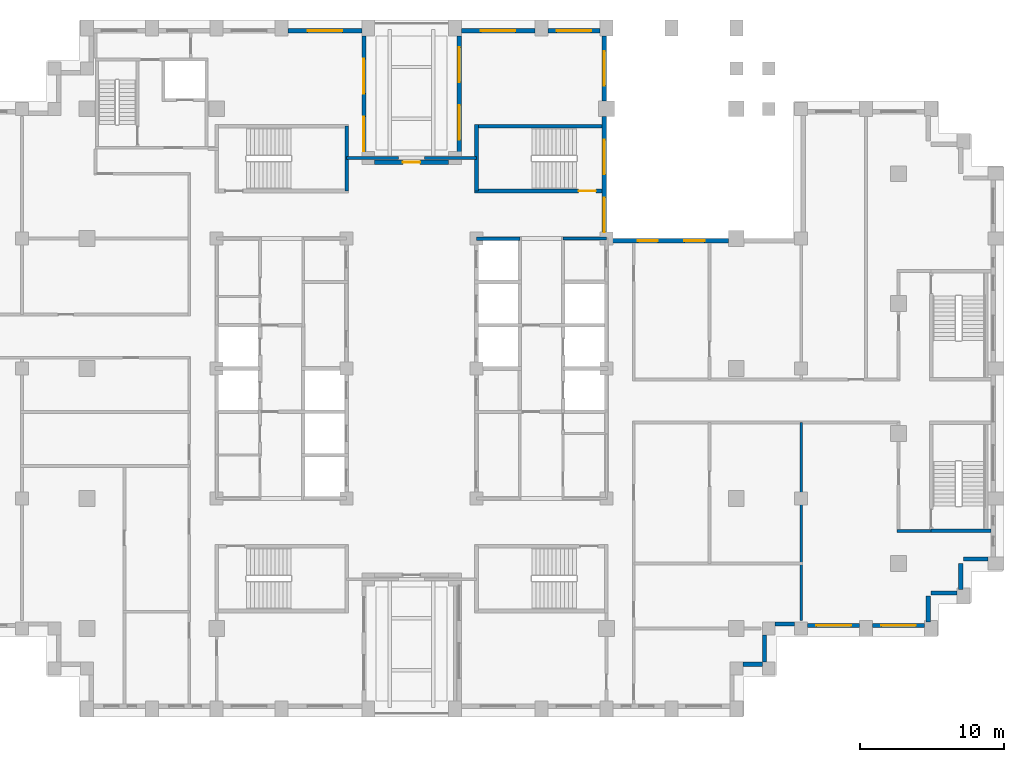
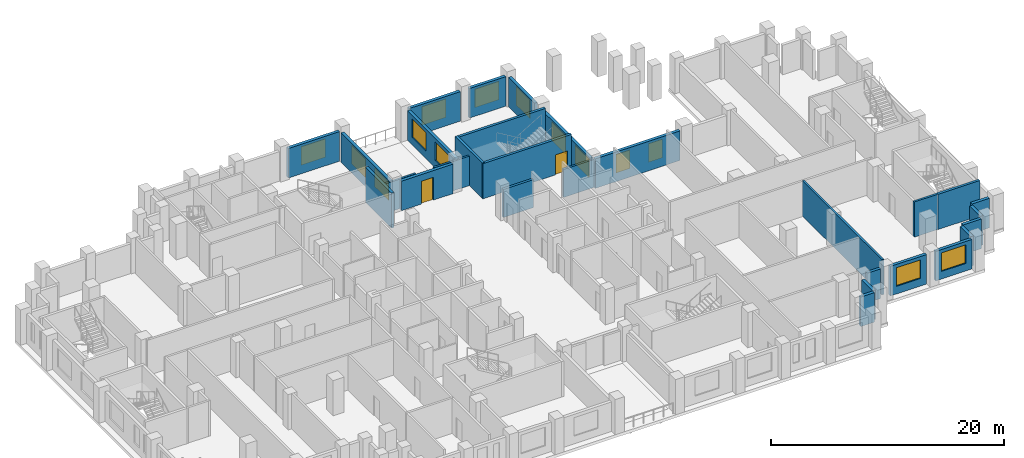
# One storey, part 7 of 12: 29 walls, 14 windows, 2 doors, 16 openings.
"""IFC4 building model written with IfcOpenShell, lengths in metres."""

from ifc_helpers import new_model, si_unit, direction, frame, frame_2d, origin, place, context, subcontext, project, spatial, rectangle, extrude, material, layer, layer_set, type_object, element, fill, save


model = new_model("IFC4")

# Units and contexts
model_context = context("Model", 3, precision=1e-05, world=origin(), true_north=direction((0.0, 1.0)))
body_context = subcontext(model_context, "Body", "Model", "MODEL_VIEW")
ifc_project = project(units=[si_unit("LENGTHUNIT", "METRE"), si_unit("AREAUNIT", "SQUARE_METRE"), si_unit("VOLUMEUNIT", "CUBIC_METRE"), si_unit("PLANEANGLEUNIT", "RADIAN"), si_unit("MASSUNIT", "GRAM", prefix="KILO")], contexts=[model_context])

# Site, building, storey
site_placement = place(None, origin())
site = spatial("IfcSite", under=ifc_project, at=site_placement, CompositionType="ELEMENT")
building_placement = place(site_placement, origin())
building = spatial("IfcBuilding", under=site, at=building_placement, Name="Corbelhall Arena Tower", CompositionType="ELEMENT")
storey_placement = place(building_placement, frame((0.0, 0.0, 126.0)))
storey = spatial("IfcBuildingStorey", under=building, at=storey_placement, Name="L23", CompositionType="ELEMENT", Elevation=126.0)

# Walls
ifc_material_1 = material(Name="Precast concrete C40/50 with granite facing", Category="masonry")
ifc_layer_1 = layer(ifc_material_1, 0.300048828125)
ifc_layer_set_1 = layer_set([ifc_layer_1], Name="EV-IW1 Infill panel 300")
wall_type_1 = type_object("IfcWallType", Name="EV-IW1 Infill panel 300", PredefinedType="SOLIDWALL", material=ifc_layer_set_1)
for number, where, z_axis, x_axis, name in (
    (1, (35.800048828125, -17.550048828125, 0.0), (0.0, 0.0, 1.0), (0.0, 1.0, 0.0), "Infill panel IW1"),
    (2, (37.800048828125, -15.550048828125, 0.0), (0.0, 0.0, 1.0), (-1.0, 0.0, 0.0), "Infill panel IW1"),
    (3, (38.050048828125, -15.300048828125, 0.0), (0.0, 0.0, 1.0), (0.0, 1.0, 0.0), "Infill panel IW1"),
):
    element("IfcWall", number, at=place(storey_placement, frame(where, z_axis=z_axis, x_axis=x_axis)), inside=storey, type_object=wall_type_1, Name=name, PredefinedType="SOLIDWALL", context=body_context, shape_type="SweptSolid", body=[
        extrude(rectangle(XDim=1.800048828125, YDim=0.300048828125, at=frame_2d((0.89990234375, 0.0))), origin(), (0.0, 0.0, 1.0), 3.10009765625),
    ])
wall_1_placement = place(storey_placement, frame((39.949951171875, -13.199951171875, 0.0), z_axis=(0.0, 0.0, 1.0), x_axis=(-1.0, 0.0, 0.0)))
element("IfcWall", 4, at=wall_1_placement, inside=storey, type_object=wall_type_1, Name="Infill panel IW1", PredefinedType="SOLIDWALL", context=body_context, shape_type="SweptSolid", body=[
    extrude(rectangle(XDim=1.699951171875, YDim=0.300048828125, at=frame_2d((0.85009765625, 0.0))), origin(), (0.0, 0.0, 1.0), 3.10009765625),
])
wall_2_placement = place(storey_placement, frame((22.949951171875, -20.5, 0.0), z_axis=(0.0, 0.0, 1.0), x_axis=(1.0, 0.0, 0.0)))
element("IfcWall", 5, at=wall_2_placement, inside=storey, type_object=wall_type_1, Name="Infill panel IW1", PredefinedType="SOLIDWALL", context=body_context, shape_type="SweptSolid", body=[
    extrude(rectangle(XDim=1.35009765625, YDim=0.300048828125, at=frame_2d((0.675048828125, 0.0))), origin(), (0.0, 0.0, 1.0), 3.10009765625),
])
wall_3_placement = place(storey_placement, frame((24.449951171875, -20.35009765625, 0.0), z_axis=(0.0, 0.0, 1.0), x_axis=(0.0, 1.0, 0.0)))
element("IfcWall", 6, at=wall_3_placement, inside=storey, type_object=wall_type_1, Name="Infill panel IW1", PredefinedType="SOLIDWALL", context=body_context, shape_type="SweptSolid", body=[
    extrude(rectangle(XDim=1.900146484375, YDim=0.300048828125, at=frame_2d((0.9501953125, 0.0))), origin(), (0.0, 0.0, 1.0), 3.10009765625),
])
wall_4_placement = place(storey_placement, frame((25.199951171875, -17.699951171875, 0.0), z_axis=(0.0, 0.0, 1.0), x_axis=(1.0, 0.0, 0.0)))
element("IfcWall", 7, at=wall_4_placement, inside=storey, type_object=wall_type_1, Name="Infill panel IW1", PredefinedType="SOLIDWALL", context=body_context, shape_type="SweptSolid", body=[
    extrude(rectangle(XDim=1.35009765625, YDim=0.300048828125, at=frame_2d((0.675048828125, 0.0))), origin(), (0.0, 0.0, 1.0), 3.10009765625),
])

# Wall, opening, window
wall_5_placement = place(storey_placement, frame((27.449951171875, -17.800048828125, 0.0), z_axis=(0.0, 0.0, 1.0), x_axis=(1.0, 0.0, 0.0)))
wall_5 = element("IfcWall", 8, at=wall_5_placement, inside=storey, type_object=wall_type_1, Name="Infill panel IW1", PredefinedType="SOLIDWALL", context=body_context, shape_type="SweptSolid", body=[
    extrude(rectangle(XDim=3.60009765625, YDim=0.300048828125, at=frame_2d((1.800048828125, 0.0))), origin(), (0.0, 0.0, 1.0), 3.10009765625),
])
opening_1_placement = place(wall_5_placement, frame((0.60009765625, 0.0, 0.800048828125)))
opening_1 = element("IfcOpeningElement", 9, at=opening_1_placement, cuts=wall_5, Name="Opening WN1", PredefinedType="OPENING", context=body_context, shape_type="SweptSolid", body=[
    extrude(rectangle(XDim=2.39990234375, YDim=1.949951171875, at=frame_2d((1.199951171875, 0.97509765625))), frame((0.0, 0.14990234375, 0.0), z_axis=(0.0, -1.0, 0.0), x_axis=(1.0, 0.0, 0.0)), (0.0, 0.0, 1.0), 0.300048828125),
])
ifc_material_2 = material(Name="Aluminium black anodised", Category="aluminium")
window_type_1 = type_object("IfcWindowType", Name="EV-WN1 Office window", PartitioningType="SINGLE_PANEL", PredefinedType="WINDOW", material=ifc_material_2)
window_1_placement = place(opening_1_placement, origin())
window_1 = element("IfcWindow", 10, at=window_1_placement, inside=storey, type_object=window_type_1, Name="Window WN1", OverallHeight=1.949951171875, OverallWidth=2.39990234375, PartitioningType="SINGLE_PANEL", PredefinedType="WINDOW", context=body_context, shape_type="SweptSolid", body=[
    extrude(rectangle(XDim=2.39990234375, YDim=1.949951171875, at=frame_2d((1.199951171875, 0.97509765625))), frame((0.0, 0.030029296875, 0.0), z_axis=(0.0, -1.0, 0.0), x_axis=(1.0, 0.0, 0.0)), (0.0, 0.0, 1.0), 0.06005859375),
])
fill(opening_1, window_1)

wall_6_placement = place(storey_placement, frame((31.949951171875, -17.800048828125, 0.0), z_axis=(0.0, 0.0, 1.0), x_axis=(1.0, 0.0, 0.0)))
wall_6 = element("IfcWall", 11, at=wall_6_placement, inside=storey, type_object=wall_type_1, Name="Infill panel IW1", PredefinedType="SOLIDWALL", context=body_context, shape_type="SweptSolid", body=[
    extrude(rectangle(XDim=3.60009765625, YDim=0.300048828125, at=frame_2d((1.800048828125, 0.0))), origin(), (0.0, 0.0, 1.0), 3.10009765625),
])
opening_2_placement = place(wall_6_placement, frame((0.60009765625, 0.0, 0.800048828125)))
opening_2 = element("IfcOpeningElement", 12, at=opening_2_placement, cuts=wall_6, Name="Opening WN1", PredefinedType="OPENING", context=body_context, shape_type="SweptSolid", body=[
    extrude(rectangle(XDim=2.39990234375, YDim=1.949951171875, at=frame_2d((1.199951171875, 0.97509765625))), frame((0.0, 0.14990234375, 0.0), z_axis=(0.0, -1.0, 0.0), x_axis=(1.0, 0.0, 0.0)), (0.0, 0.0, 1.0), 0.300048828125),
])
window_2_placement = place(opening_2_placement, origin())
window_2 = element("IfcWindow", 13, at=window_2_placement, inside=storey, type_object=window_type_1, Name="Window WN1", OverallHeight=1.949951171875, OverallWidth=2.39990234375, PartitioningType="SINGLE_PANEL", PredefinedType="WINDOW", context=body_context, shape_type="SweptSolid", body=[
    extrude(rectangle(XDim=2.39990234375, YDim=1.949951171875, at=frame_2d((1.199951171875, 0.97509765625))), frame((0.0, 0.030029296875, 0.0), z_axis=(0.0, -1.0, 0.0), x_axis=(1.0, 0.0, 0.0)), (0.0, 0.0, 1.0), 0.06005859375),
])
fill(opening_2, window_2)

wall_7_placement = place(storey_placement, frame((13.050048828125, 23.39990234375, 0.0), z_axis=(0.0, 0.0, 1.0), x_axis=(-1.0, 0.0, 0.0)))
wall_7 = element("IfcWall", 14, at=wall_7_placement, inside=storey, type_object=wall_type_1, Name="Infill panel IW1", PredefinedType="SOLIDWALL", context=body_context, shape_type="SweptSolid", body=[
    extrude(rectangle(XDim=3.60009765625, YDim=0.300048828125, at=frame_2d((1.800048828125, 0.0))), origin(), (0.0, 0.0, 1.0), 3.10009765625),
])
opening_3_placement = place(wall_7_placement, frame((0.60009765625, 0.0, 0.800048828125)))
opening_3 = element("IfcOpeningElement", 15, at=opening_3_placement, cuts=wall_7, Name="Opening WN1", PredefinedType="OPENING", context=body_context, shape_type="SweptSolid", body=[
    extrude(rectangle(XDim=2.39990234375, YDim=1.949951171875, at=frame_2d((1.199951171875, 0.97509765625))), frame((0.0, 0.14990234375, 0.0), z_axis=(0.0, -1.0, 0.0), x_axis=(1.0, 0.0, 0.0)), (0.0, 0.0, 1.0), 0.300048828125),
])
window_3_placement = place(opening_3_placement, origin())
window_3 = element("IfcWindow", 16, at=window_3_placement, inside=storey, type_object=window_type_1, Name="Window WN1", OverallHeight=1.949951171875, OverallWidth=2.39990234375, PartitioningType="SINGLE_PANEL", PredefinedType="WINDOW", context=body_context, shape_type="SweptSolid", body=[
    extrude(rectangle(XDim=2.39990234375, YDim=1.949951171875, at=frame_2d((1.199951171875, 0.97509765625))), frame((0.0, 0.030029296875, 0.0), z_axis=(0.0, -1.0, 0.0), x_axis=(1.0, 0.0, 0.0)), (0.0, 0.0, 1.0), 0.06005859375),
])
fill(opening_3, window_3)

wall_8_placement = place(storey_placement, frame((8.550048828125, 23.39990234375, 0.0), z_axis=(0.0, 0.0, 1.0), x_axis=(-1.0, 0.0, 0.0)))
wall_8 = element("IfcWall", 17, at=wall_8_placement, inside=storey, type_object=wall_type_1, Name="Infill panel IW1", PredefinedType="SOLIDWALL", context=body_context, shape_type="SweptSolid", body=[
    extrude(rectangle(XDim=5.10009765625, YDim=0.300048828125, at=frame_2d((2.550048828125, 0.0))), origin(), (0.0, 0.0, 1.0), 3.10009765625),
])
opening_4_placement = place(wall_8_placement, frame((1.35009765625, 0.0, 0.800048828125)))
opening_4 = element("IfcOpeningElement", 18, at=opening_4_placement, cuts=wall_8, Name="Opening WN1", PredefinedType="OPENING", context=body_context, shape_type="SweptSolid", body=[
    extrude(rectangle(XDim=2.39990234375, YDim=1.949951171875, at=frame_2d((1.199951171875, 0.97509765625))), frame((0.0, 0.14990234375, 0.0), z_axis=(0.0, -1.0, 0.0), x_axis=(1.0, 0.0, 0.0)), (0.0, 0.0, 1.0), 0.300048828125),
])
window_4_placement = place(opening_4_placement, origin())
window_4 = element("IfcWindow", 19, at=window_4_placement, inside=storey, type_object=window_type_1, Name="Window WN1", OverallHeight=1.949951171875, OverallWidth=2.39990234375, PartitioningType="SINGLE_PANEL", PredefinedType="WINDOW", context=body_context, shape_type="SweptSolid", body=[
    extrude(rectangle(XDim=2.39990234375, YDim=1.949951171875, at=frame_2d((1.199951171875, 0.97509765625))), frame((0.0, 0.030029296875, 0.0), z_axis=(0.0, -1.0, 0.0), x_axis=(1.0, 0.0, 0.0)), (0.0, 0.0, 1.0), 0.06005859375),
])
fill(opening_4, window_4)

# Wall, openings, windows
wall_9_placement = place(storey_placement, frame((3.300048828125, 23.050048828125, 0.0), z_axis=(0.0, 0.0, 1.0), x_axis=(0.0, -1.0, 0.0)))
wall_9 = element("IfcWall", 20, at=wall_9_placement, inside=storey, type_object=wall_type_1, Name="Infill panel IW1", PredefinedType="SOLIDWALL", context=body_context, shape_type="SweptSolid", body=[
    extrude(rectangle(XDim=8.400146484375, YDim=0.300048828125, at=frame_2d((4.2001953125, 0.0))), origin(), (0.0, 0.0, 1.0), 3.10009765625),
])
opening_5_placement = place(wall_9_placement, frame((0.800048828125, 0.0, 0.800048828125)))
opening_5 = element("IfcOpeningElement", 21, at=opening_5_placement, cuts=wall_9, Name="Opening WN1", PredefinedType="OPENING", context=body_context, shape_type="SweptSolid", body=[
    extrude(rectangle(XDim=2.39990234375, YDim=1.949951171875, at=frame_2d((1.199951171875, 0.97509765625))), frame((0.0, 0.14990234375, 0.0), z_axis=(0.0, -1.0, 0.0), x_axis=(1.0, 0.0, 0.0)), (0.0, 0.0, 1.0), 0.300048828125),
])
opening_6_placement = place(wall_9_placement, frame((4.800048828125, 0.0, 0.800048828125)))
opening_6 = element("IfcOpeningElement", 22, at=opening_6_placement, cuts=wall_9, Name="Opening WN1", PredefinedType="OPENING", context=body_context, shape_type="SweptSolid", body=[
    extrude(rectangle(XDim=2.39990234375, YDim=1.949951171875, at=frame_2d((1.199951171875, 0.97509765625))), frame((0.0, 0.14990234375, 0.0), z_axis=(0.0, -1.0, 0.0), x_axis=(1.0, 0.0, 0.0)), (0.0, 0.0, 1.0), 0.300048828125),
])
window_5_placement = place(opening_5_placement, origin())
window_5 = element("IfcWindow", 23, at=window_5_placement, inside=storey, type_object=window_type_1, Name="Window WN1", OverallHeight=1.949951171875, OverallWidth=2.39990234375, PartitioningType="SINGLE_PANEL", PredefinedType="WINDOW", context=body_context, shape_type="SweptSolid", body=[
    extrude(rectangle(XDim=2.39990234375, YDim=1.949951171875, at=frame_2d((1.199951171875, 0.97509765625))), frame((0.0, 0.030029296875, 0.0), z_axis=(0.0, -1.0, 0.0), x_axis=(1.0, 0.0, 0.0)), (0.0, 0.0, 1.0), 0.06005859375),
])
fill(opening_5, window_5)
window_6_placement = place(opening_6_placement, origin())
window_6 = element("IfcWindow", 24, at=window_6_placement, inside=storey, type_object=window_type_1, Name="Window WN1", OverallHeight=1.949951171875, OverallWidth=2.39990234375, PartitioningType="SINGLE_PANEL", PredefinedType="WINDOW", context=body_context, shape_type="SweptSolid", body=[
    extrude(rectangle(XDim=2.39990234375, YDim=1.949951171875, at=frame_2d((1.199951171875, 0.97509765625))), frame((0.0, 0.030029296875, 0.0), z_axis=(0.0, -1.0, 0.0), x_axis=(1.0, 0.0, 0.0)), (0.0, 0.0, 1.0), 0.06005859375),
])
fill(opening_6, window_6)

# Wall, opening, door
wall_10_placement = place(storey_placement, frame((-2.550048828125, 14.300048828125, 0.0), z_axis=(0.0, 0.0, 1.0), x_axis=(1.0, 0.0, 0.0)))
wall_10 = element("IfcWall", 25, at=wall_10_placement, inside=storey, type_object=wall_type_1, Name="Infill panel IW1", PredefinedType="SOLIDWALL", context=body_context, shape_type="SweptSolid", body=[
    extrude(rectangle(XDim=5.10009765625, YDim=0.300048828125, at=frame_2d((2.550048828125, 0.0))), origin(), (0.0, 0.0, 1.0), 3.10009765625),
])
opening_7_placement = place(wall_10_placement, frame((1.949951171875, 0.0, 0.0)))
opening_7 = element("IfcOpeningElement", 26, at=opening_7_placement, cuts=wall_10, Name="Opening ED1", PredefinedType="OPENING", context=body_context, shape_type="SweptSolid", body=[
    extrude(rectangle(XDim=1.199951171875, YDim=2.39990234375, at=frame_2d((0.60009765625, 1.199951171875))), frame((0.0, 0.14990234375, 0.0), z_axis=(0.0, -1.0, 0.0), x_axis=(1.0, 0.0, 0.0)), (0.0, 0.0, 1.0), 0.300048828125),
])
door_type_1 = type_object("IfcDoorType", Name="EV-ED1 Terrace door", OperationType="SINGLE_SWING_LEFT", PredefinedType="DOOR", material=ifc_material_2)
door_1_placement = place(opening_7_placement, origin())
door_1 = element("IfcDoor", 27, at=door_1_placement, inside=storey, type_object=door_type_1, Name="Terrace door", OperationType="SINGLE_SWING_LEFT", OverallHeight=2.39990234375, OverallWidth=1.199951171875, PredefinedType="DOOR", context=body_context, shape_type="SweptSolid", body=[
    extrude(rectangle(XDim=1.199951171875, YDim=2.39990234375, at=frame_2d((0.60009765625, 1.199951171875))), frame((0.0, 0.02490234375, 0.0), z_axis=(0.0, -1.0, 0.0), x_axis=(1.0, 0.0, 0.0)), (0.0, 0.0, 1.0), 0.050048828125),
])
fill(opening_7, door_1)

# Wall, openings, windows
wall_11_placement = place(storey_placement, frame((-3.300048828125, 14.64990234375, 0.0), z_axis=(0.0, 0.0, 1.0), x_axis=(0.0, 1.0, 0.0)))
wall_11 = element("IfcWall", 28, at=wall_11_placement, inside=storey, type_object=wall_type_1, Name="Infill panel IW1", PredefinedType="SOLIDWALL", context=body_context, shape_type="SweptSolid", body=[
    extrude(rectangle(XDim=8.400146484375, YDim=0.300048828125, at=frame_2d((4.2001953125, 0.0))), origin(), (0.0, 0.0, 1.0), 3.10009765625),
])
opening_8_placement = place(wall_11_placement, frame((0.39990234375, 0.0, 0.800048828125)))
opening_8 = element("IfcOpeningElement", 29, at=opening_8_placement, cuts=wall_11, Name="Opening WN1", PredefinedType="OPENING", context=body_context, shape_type="SweptSolid", body=[
    extrude(rectangle(XDim=2.39990234375, YDim=1.949951171875, at=frame_2d((1.199951171875, 0.97509765625))), frame((0.0, 0.14990234375, 0.0), z_axis=(0.0, -1.0, 0.0), x_axis=(1.0, 0.0, 0.0)), (0.0, 0.0, 1.0), 0.300048828125),
])
opening_9_placement = place(wall_11_placement, frame((4.39990234375, 0.0, 0.800048828125)))
opening_9 = element("IfcOpeningElement", 30, at=opening_9_placement, cuts=wall_11, Name="Opening WN1", PredefinedType="OPENING", context=body_context, shape_type="SweptSolid", body=[
    extrude(rectangle(XDim=2.39990234375, YDim=1.949951171875, at=frame_2d((1.199951171875, 0.97509765625))), frame((0.0, 0.14990234375, 0.0), z_axis=(0.0, -1.0, 0.0), x_axis=(1.0, 0.0, 0.0)), (0.0, 0.0, 1.0), 0.300048828125),
])
window_7_placement = place(opening_8_placement, origin())
window_7 = element("IfcWindow", 31, at=window_7_placement, inside=storey, type_object=window_type_1, Name="Window WN1", OverallHeight=1.949951171875, OverallWidth=2.39990234375, PartitioningType="SINGLE_PANEL", PredefinedType="WINDOW", context=body_context, shape_type="SweptSolid", body=[
    extrude(rectangle(XDim=2.39990234375, YDim=1.949951171875, at=frame_2d((1.199951171875, 0.97509765625))), frame((0.0, 0.030029296875, 0.0), z_axis=(0.0, -1.0, 0.0), x_axis=(1.0, 0.0, 0.0)), (0.0, 0.0, 1.0), 0.06005859375),
])
fill(opening_8, window_7)
window_8_placement = place(opening_9_placement, origin())
window_8 = element("IfcWindow", 32, at=window_8_placement, inside=storey, type_object=window_type_1, Name="Window WN1", OverallHeight=1.949951171875, OverallWidth=2.39990234375, PartitioningType="SINGLE_PANEL", PredefinedType="WINDOW", context=body_context, shape_type="SweptSolid", body=[
    extrude(rectangle(XDim=2.39990234375, YDim=1.949951171875, at=frame_2d((1.199951171875, 0.97509765625))), frame((0.0, 0.030029296875, 0.0), z_axis=(0.0, -1.0, 0.0), x_axis=(1.0, 0.0, 0.0)), (0.0, 0.0, 1.0), 0.06005859375),
])
fill(opening_9, window_8)

# Wall, opening, window
wall_12_placement = place(storey_placement, frame((-3.449951171875, 23.39990234375, 0.0), z_axis=(0.0, 0.0, 1.0), x_axis=(-1.0, 0.0, 0.0)))
wall_12 = element("IfcWall", 33, at=wall_12_placement, inside=storey, type_object=wall_type_1, Name="Infill panel IW1", PredefinedType="SOLIDWALL", context=body_context, shape_type="SweptSolid", body=[
    extrude(rectangle(XDim=5.10009765625, YDim=0.300048828125, at=frame_2d((2.550048828125, 0.0))), origin(), (0.0, 0.0, 1.0), 3.10009765625),
])
opening_10_placement = place(wall_12_placement, frame((1.35009765625, 0.0, 0.800048828125)))
opening_10 = element("IfcOpeningElement", 34, at=opening_10_placement, cuts=wall_12, Name="Opening WN1", PredefinedType="OPENING", context=body_context, shape_type="SweptSolid", body=[
    extrude(rectangle(XDim=2.39990234375, YDim=1.949951171875, at=frame_2d((1.199951171875, 0.97509765625))), frame((0.0, 0.14990234375, 0.0), z_axis=(0.0, -1.0, 0.0), x_axis=(1.0, 0.0, 0.0)), (0.0, 0.0, 1.0), 0.300048828125),
])
window_9_placement = place(opening_10_placement, origin())
window_9 = element("IfcWindow", 35, at=window_9_placement, inside=storey, type_object=window_type_1, Name="Window WN1", OverallHeight=1.949951171875, OverallWidth=2.39990234375, PartitioningType="SINGLE_PANEL", PredefinedType="WINDOW", context=body_context, shape_type="SweptSolid", body=[
    extrude(rectangle(XDim=2.39990234375, YDim=1.949951171875, at=frame_2d((1.199951171875, 0.97509765625))), frame((0.0, 0.030029296875, 0.0), z_axis=(0.0, -1.0, 0.0), x_axis=(1.0, 0.0, 0.0)), (0.0, 0.0, 1.0), 0.06005859375),
])
fill(opening_10, window_9)

# Wall, openings, windows
wall_13_placement = place(storey_placement, frame((13.35009765625, 9.050048828125, 0.0), z_axis=(0.0, 0.0, 1.0), x_axis=(0.0, 1.0, 0.0)))
wall_13 = element("IfcWall", 36, at=wall_13_placement, inside=storey, type_object=wall_type_1, Name="Infill panel IW1", PredefinedType="SOLIDWALL", context=body_context, shape_type="SweptSolid", body=[
    extrude(rectangle(XDim=8.39990234375, YDim=0.300048828125, at=frame_2d((4.199951171875, 0.0))), origin(), (0.0, 0.0, 1.0), 3.10009765625),
])
opening_11_placement = place(wall_13_placement, frame((0.39990234375, 0.0, 0.800048828125)))
opening_11 = element("IfcOpeningElement", 37, at=opening_11_placement, cuts=wall_13, Name="Opening WN1", PredefinedType="OPENING", context=body_context, shape_type="SweptSolid", body=[
    extrude(rectangle(XDim=2.39990234375, YDim=1.949951171875, at=frame_2d((1.199951171875, 0.97509765625))), frame((0.0, 0.14990234375, 0.0), z_axis=(0.0, -1.0, 0.0), x_axis=(1.0, 0.0, 0.0)), (0.0, 0.0, 1.0), 0.300048828125),
])
opening_12_placement = place(wall_13_placement, frame((4.39990234375, 0.0, 0.800048828125)))
opening_12 = element("IfcOpeningElement", 38, at=opening_12_placement, cuts=wall_13, Name="Opening WN1", PredefinedType="OPENING", context=body_context, shape_type="SweptSolid", body=[
    extrude(rectangle(XDim=2.39990234375, YDim=1.949951171875, at=frame_2d((1.199951171875, 0.97509765625))), frame((0.0, 0.14990234375, 0.0), z_axis=(0.0, -1.0, 0.0), x_axis=(1.0, 0.0, 0.0)), (0.0, 0.0, 1.0), 0.300048828125),
])
window_10_placement = place(opening_11_placement, origin())
window_10 = element("IfcWindow", 39, at=window_10_placement, inside=storey, type_object=window_type_1, Name="Window WN1", OverallHeight=1.949951171875, OverallWidth=2.39990234375, PartitioningType="SINGLE_PANEL", PredefinedType="WINDOW", context=body_context, shape_type="SweptSolid", body=[
    extrude(rectangle(XDim=2.39990234375, YDim=1.949951171875, at=frame_2d((1.199951171875, 0.97509765625))), frame((0.0, 0.030029296875, 0.0), z_axis=(0.0, -1.0, 0.0), x_axis=(1.0, 0.0, 0.0)), (0.0, 0.0, 1.0), 0.06005859375),
])
fill(opening_11, window_10)
window_11_placement = place(opening_12_placement, origin())
window_11 = element("IfcWindow", 40, at=window_11_placement, inside=storey, type_object=window_type_1, Name="Window WN1", OverallHeight=1.949951171875, OverallWidth=2.39990234375, PartitioningType="SINGLE_PANEL", PredefinedType="WINDOW", context=body_context, shape_type="SweptSolid", body=[
    extrude(rectangle(XDim=2.39990234375, YDim=1.949951171875, at=frame_2d((1.199951171875, 0.97509765625))), frame((0.0, 0.030029296875, 0.0), z_axis=(0.0, -1.0, 0.0), x_axis=(1.0, 0.0, 0.0)), (0.0, 0.0, 1.0), 0.06005859375),
])
fill(opening_12, window_11)

# Wall, opening, window
wall_14_placement = place(storey_placement, frame((13.35009765625, 18.550048828125, 0.0), z_axis=(0.0, 0.0, 1.0), x_axis=(0.0, 1.0, 0.0)))
wall_14 = element("IfcWall", 41, at=wall_14_placement, inside=storey, type_object=wall_type_1, Name="Infill panel IW1", PredefinedType="SOLIDWALL", context=body_context, shape_type="SweptSolid", body=[
    extrude(rectangle(XDim=4.5, YDim=0.300048828125, at=frame_2d((2.25, 0.0))), origin(), (0.0, 0.0, 1.0), 3.10009765625),
])
opening_13_placement = place(wall_14_placement, frame((1.050048828125, 0.0, 0.800048828125)))
opening_13 = element("IfcOpeningElement", 42, at=opening_13_placement, cuts=wall_14, Name="Opening WN1", PredefinedType="OPENING", context=body_context, shape_type="SweptSolid", body=[
    extrude(rectangle(XDim=2.39990234375, YDim=1.949951171875, at=frame_2d((1.199951171875, 0.97509765625))), frame((0.0, 0.14990234375, 0.0), z_axis=(0.0, -1.0, 0.0), x_axis=(1.0, 0.0, 0.0)), (0.0, 0.0, 1.0), 0.300048828125),
])
window_12_placement = place(opening_13_placement, origin())
window_12 = element("IfcWindow", 43, at=window_12_placement, inside=storey, type_object=window_type_1, Name="Window WN1", OverallHeight=1.949951171875, OverallWidth=2.39990234375, PartitioningType="SINGLE_PANEL", PredefinedType="WINDOW", context=body_context, shape_type="SweptSolid", body=[
    extrude(rectangle(XDim=2.39990234375, YDim=1.949951171875, at=frame_2d((1.199951171875, 0.97509765625))), frame((0.0, 0.030029296875, 0.0), z_axis=(0.0, -1.0, 0.0), x_axis=(1.0, 0.0, 0.0)), (0.0, 0.0, 1.0), 0.06005859375),
])
fill(opening_13, window_12)

# Wall, openings, windows
wall_15_placement = place(storey_placement, frame((21.949951171875, 8.85009765625, 0.0), z_axis=(0.0, 0.0, 1.0), x_axis=(-1.0, 0.0, 0.0)))
wall_15 = element("IfcWall", 44, at=wall_15_placement, inside=storey, type_object=wall_type_1, Name="Infill panel IW1", PredefinedType="SOLIDWALL", context=body_context, shape_type="SweptSolid", body=[
    extrude(rectangle(XDim=8.39990234375, YDim=0.300048828125, at=frame_2d((4.199951171875, 0.0))), origin(), (0.0, 0.0, 1.0), 3.10009765625),
])
opening_14_placement = place(wall_15_placement, frame((1.64990234375, 0.0, 0.800048828125)))
opening_14 = element("IfcOpeningElement", 45, at=opening_14_placement, cuts=wall_15, Name="Opening WN7", PredefinedType="OPENING", context=body_context, shape_type="SweptSolid", body=[
    extrude(rectangle(XDim=1.39990234375, YDim=1.949951171875, at=frame_2d((0.699951171875, 0.97509765625))), frame((0.0, 0.14990234375, 0.0), z_axis=(0.0, -1.0, 0.0), x_axis=(1.0, 0.0, 0.0)), (0.0, 0.0, 1.0), 0.300048828125),
])
opening_15_placement = place(wall_15_placement, frame((4.875, 0.0, 0.800048828125)))
opening_15 = element("IfcOpeningElement", 46, at=opening_15_placement, cuts=wall_15, Name="Opening WN7", PredefinedType="OPENING", context=body_context, shape_type="SweptSolid", body=[
    extrude(rectangle(XDim=1.39990234375, YDim=1.949951171875, at=frame_2d((0.699951171875, 0.97509765625))), frame((0.0, 0.14990234375, 0.0), z_axis=(0.0, -1.0, 0.0), x_axis=(1.0, 0.0, 0.0)), (0.0, 0.0, 1.0), 0.300048828125),
])
window_type_2 = type_object("IfcWindowType", Name="EV-WN7 Office window 1400", PartitioningType="SINGLE_PANEL", PredefinedType="WINDOW", material=ifc_material_2)
window_13_placement = place(opening_14_placement, origin())
window_13 = element("IfcWindow", 47, at=window_13_placement, inside=storey, type_object=window_type_2, Name="Window WN7", OverallHeight=1.949951171875, OverallWidth=1.39990234375, PartitioningType="SINGLE_PANEL", PredefinedType="WINDOW", context=body_context, shape_type="SweptSolid", body=[
    extrude(rectangle(XDim=1.39990234375, YDim=1.949951171875, at=frame_2d((0.699951171875, 0.97509765625))), frame((0.0, 0.030029296875, 0.0), z_axis=(0.0, -1.0, 0.0), x_axis=(1.0, 0.0, 0.0)), (0.0, 0.0, 1.0), 0.06005859375),
])
fill(opening_14, window_13)
window_14_placement = place(opening_15_placement, origin())
window_14 = element("IfcWindow", 48, at=window_14_placement, inside=storey, type_object=window_type_2, Name="Window WN7", OverallHeight=1.949951171875, OverallWidth=1.39990234375, PartitioningType="SINGLE_PANEL", PredefinedType="WINDOW", context=body_context, shape_type="SweptSolid", body=[
    extrude(rectangle(XDim=1.39990234375, YDim=1.949951171875, at=frame_2d((0.699951171875, 0.97509765625))), frame((0.0, 0.030029296875, 0.0), z_axis=(0.0, -1.0, 0.0), x_axis=(1.0, 0.0, 0.0)), (0.0, 0.0, 1.0), 0.06005859375),
])
fill(opening_15, window_14)

# Walls
ifc_material_3 = material(Name="Gypsum board on steel stud, acoustic", Category="steel")
ifc_layer_2 = layer(ifc_material_3, 0.199951171875)
ifc_layer_set_2 = layer_set([ifc_layer_2], Name="IN-W-DM200")
wall_type_2 = type_object("IfcWallType", Name="IN-W-DM200", PredefinedType="PARTITIONING", material=ifc_layer_set_2)
wall_16_placement = place(storey_placement, frame((27.0, -3.75, 0.0), z_axis=(0.0, 0.0, 1.0), x_axis=(0.0, -1.0, 0.0)))
element("IfcWall", 49, at=wall_16_placement, inside=storey, type_object=wall_type_2, Name="Partition 038", PredefinedType="PARTITIONING", context=body_context, shape_type="SweptSolid", body=[
    extrude(rectangle(XDim=13.699951171875, YDim=0.199951171875, at=frame_2d((6.85009765625, 0.0))), origin(), (0.0, 0.0, 1.0), 3.699951171875),
])
wall_17_placement = place(storey_placement, frame((36.0, -11.25, 0.0), z_axis=(0.0, 0.0, 1.0), x_axis=(-1.0, 0.0, 0.0)))
element("IfcWall", 50, at=wall_17_placement, inside=storey, type_object=wall_type_2, Name="Partition 044", PredefinedType="PARTITIONING", context=body_context, shape_type="SweptSolid", body=[
    extrude(rectangle(XDim=2.35009765625, YDim=0.199951171875, at=frame_2d((1.175048828125, 0.0))), origin(), (0.0, 0.0, 1.0), 3.699951171875),
])
ifc_layer_3 = layer(ifc_material_3, 0.199951171875)
ifc_layer_set_3 = layer_set([ifc_layer_3], Name="IN-W-DM200 under beam 612 mm")
wall_type_3 = type_object("IfcWallType", Name="IN-W-DM200 under beam 612 mm", PredefinedType="PARTITIONING", material=ifc_layer_set_3)
for number, where, z_axis, x_axis, name in (
    (51, (-4.5, 14.60009765625, 0.0), (0.0, 0.0, 1.0), (1.0, 0.0, 0.0), "Partition 023"),
    (52, (0.89990234375, 14.60009765625, 0.0), (0.0, 0.0, 1.0), (1.0, 0.0, 0.0), "Partition 025"),
):
    element("IfcWall", number, at=place(storey_placement, frame(where, z_axis=z_axis, x_axis=x_axis)), inside=storey, type_object=wall_type_3, Name=name, PredefinedType="PARTITIONING", context=body_context, shape_type="SweptSolid", body=[
        extrude(rectangle(XDim=3.60009765625, YDim=0.199951171875, at=frame_2d((1.800048828125, 0.0))), origin(), (0.0, 0.0, 1.0), 3.087890625),
    ])
ifc_material_4 = material(Name="Concrete block wall", Category="concrete")
ifc_layer_4 = layer(ifc_material_4, 0.199951171875)
ifc_layer_set_4 = layer_set([ifc_layer_4], Name="IN-W-RS200 under beam 762 mm")
wall_type_4 = type_object("IfcWallType", Name="IN-W-RS200 under beam 762 mm", PredefinedType="SOLIDWALL", material=ifc_layer_set_4)
wall_18_placement = place(storey_placement, frame((10.5, 9.0, 0.0), z_axis=(0.0, 0.0, 1.0), x_axis=(1.0, 0.0, 0.0)))
element("IfcWall", 53, at=wall_18_placement, inside=storey, type_object=wall_type_4, Name="Partition 059", PredefinedType="SOLIDWALL", context=body_context, shape_type="SweptSolid", body=[
    extrude(rectangle(XDim=3.0, YDim=0.199951171875, at=frame_2d((1.5, 0.0))), origin(), (0.0, 0.0, 1.0), 2.93798828125),
])
ifc_material_5 = material(Name="Concrete C40/50", Category="concrete")
ifc_layer_5 = layer(ifc_material_5, 0.25)
ifc_layer_set_5 = layer_set([ifc_layer_5], Name="IN-W-SH250 under beam 762 mm")
wall_type_5 = type_object("IfcWallType", Name="IN-W-SH250 under beam 762 mm", PredefinedType="SOLIDWALL", material=ifc_layer_set_5)
wall_19_placement = place(storey_placement, frame((4.5, 9.0, 0.0), z_axis=(0.0, 0.0, 1.0), x_axis=(1.0, 0.0, 0.0)))
element("IfcWall", 54, at=wall_19_placement, inside=storey, type_object=wall_type_5, Name="Shaft wall 077", PredefinedType="SOLIDWALL", context=body_context, shape_type="SweptSolid", body=[
    extrude(rectangle(XDim=3.0, YDim=0.25, at=frame_2d((1.5, 0.0))), origin(), (0.0, 0.0, 1.0), 2.93798828125),
])
ifc_layer_6 = layer(ifc_material_5, 0.25)
ifc_layer_set_6 = layer_set([ifc_layer_6], Name="IN-W-ST250")
wall_type_6 = type_object("IfcWallType", Name="IN-W-ST250", PredefinedType="SOLIDWALL", material=ifc_layer_set_6)
wall_20_placement = place(storey_placement, frame((-4.5, 16.800048828125, 0.0), z_axis=(0.0, 0.0, 1.0), x_axis=(0.0, -1.0, 0.0)))
element("IfcWall", 55, at=wall_20_placement, inside=storey, type_object=wall_type_6, Name="Shaft wall 096", PredefinedType="SOLIDWALL", context=body_context, shape_type="SweptSolid", body=[
    extrude(rectangle(XDim=4.5, YDim=0.25, at=frame_2d((2.25, 0.0))), origin(), (0.0, 0.0, 1.0), 3.699951171875),
])

# Wall, opening, door
wall_21_placement = place(storey_placement, frame((4.375, 12.300048828125, 0.0), z_axis=(0.0, 0.0, 1.0), x_axis=(1.0, 0.0, 0.0)))
wall_21 = element("IfcWall", 56, at=wall_21_placement, inside=storey, type_object=wall_type_6, Name="Shaft wall 098", PredefinedType="SOLIDWALL", context=body_context, shape_type="SweptSolid", body=[
    extrude(rectangle(XDim=8.824951171875, YDim=0.25, at=frame_2d((4.41259765625, 0.0))), origin(), (0.0, 0.0, 1.0), 3.699951171875),
])
opening_16_placement = place(wall_21_placement, frame((7.199951171875, 0.0, 0.0)))
opening_16 = element("IfcOpeningElement", 57, at=opening_16_placement, cuts=wall_21, Name="Opening 06017", PredefinedType="OPENING", context=body_context, shape_type="SweptSolid", body=[
    extrude(rectangle(XDim=1.199951171875, YDim=2.10009765625, at=frame_2d((0.60009765625, 1.050048828125))), frame((0.0, 0.125, 0.0), z_axis=(0.0, -1.0, 0.0), x_axis=(1.0, 0.0, 0.0)), (0.0, 0.0, 1.0), 0.25),
])
ifc_material_6 = material(Name="Steel door set", Category="steel")
door_type_2 = type_object("IfcDoorType", Name="IN-D-ST120", OperationType="NOTDEFINED", PredefinedType="DOOR", material=ifc_material_6)
door_2_placement = place(opening_16_placement, origin())
door_2 = element("IfcDoor", 58, at=door_2_placement, inside=storey, type_object=door_type_2, Name="Door 017", OperationType="SINGLE_SWING_RIGHT", OverallHeight=2.10009765625, OverallWidth=1.199951171875, PredefinedType="DOOR", context=body_context, shape_type="SweptSolid", body=[
    extrude(rectangle(XDim=1.199951171875, YDim=2.10009765625, at=frame_2d((0.60009765625, 1.050048828125))), frame((0.0, 0.02490234375, 0.0), z_axis=(0.0, -1.0, 0.0), x_axis=(1.0, 0.0, 0.0)), (0.0, 0.0, 1.0), 0.050048828125),
])
fill(opening_16, door_2)

# Walls
wall_22_placement = place(storey_placement, frame((4.5, 12.300048828125, 0.0), z_axis=(0.0, 0.0, 1.0), x_axis=(0.0, 1.0, 0.0)))
element("IfcWall", 59, at=wall_22_placement, inside=storey, type_object=wall_type_6, Name="Shaft wall 100", PredefinedType="SOLIDWALL", context=body_context, shape_type="SweptSolid", body=[
    extrude(rectangle(XDim=4.625, YDim=0.25, at=frame_2d((2.3125, 0.0))), origin(), (0.0, 0.0, 1.0), 3.699951171875),
])
wall_23_placement = place(storey_placement, frame((4.5, 16.800048828125, 0.0), z_axis=(0.0, 0.0, 1.0), x_axis=(1.0, 0.0, 0.0)))
element("IfcWall", 60, at=wall_23_placement, inside=storey, type_object=wall_type_6, Name="Shaft wall 101", PredefinedType="SOLIDWALL", context=body_context, shape_type="SweptSolid", body=[
    extrude(rectangle(XDim=8.699951171875, YDim=0.25, at=frame_2d((4.35009765625, 0.0))), origin(), (0.0, 0.0, 1.0), 3.699951171875),
])
wall_24_placement = place(storey_placement, frame((40.14990234375, -11.25, 0.0), z_axis=(0.0, 0.0, 1.0), x_axis=(-1.0, 0.0, 0.0)))
element("IfcWall", 61, at=wall_24_placement, inside=storey, type_object=wall_type_6, Name="Shaft wall 109", PredefinedType="SOLIDWALL", context=body_context, shape_type="SweptSolid", body=[
    extrude(rectangle(XDim=4.14990234375, YDim=0.25, at=frame_2d((2.074951171875, 0.0))), origin(), (0.0, 0.0, 1.0), 3.699951171875),
])

save(model, "model.ifc")
